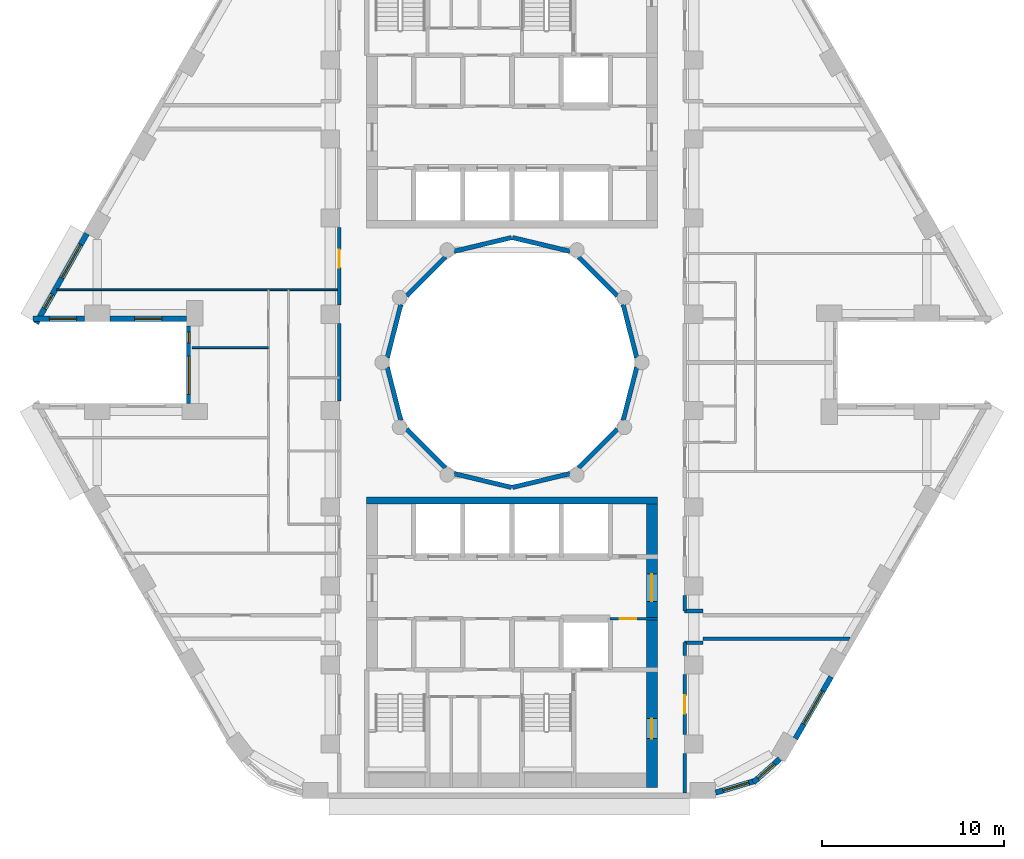
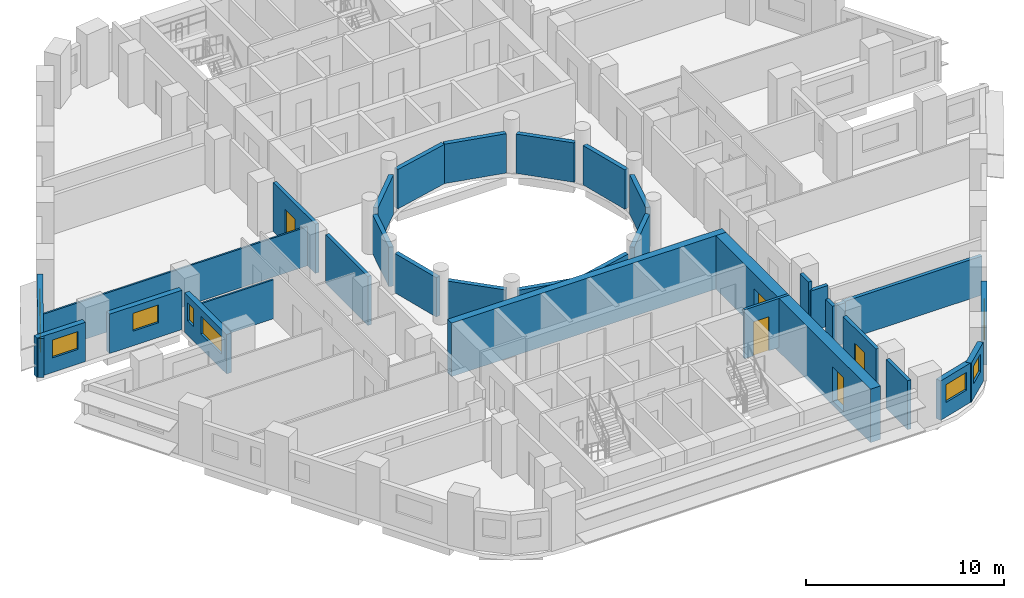
# One storey, part 5 of 12: 33 walls, 9 windows, 5 doors, 14 openings.
"""IFC4 building model written with IfcOpenShell, lengths in metres."""

import ifcopenshell
import ifcopenshell.guid

model = None  # the IFC model being written
_history = None  # IfcOwnerHistory: only IFC2X3 demands one
_inside = {}  # id of a spatial element -> (the spatial element, [elements in it])
_under = {}  # id of a project, library or spatial element -> (it, [spatial elements below it])
_declared = {}  # id of a project -> (the project, [libraries it declares])
_typed = {}  # id of a type object -> (the type object, [elements of that type])
_made_of = {}  # id of a material, layer set ... -> (it, [elements and type objects made of it])


def new_model(schema):
    """Start an empty IFC model of exactly this schema.

    Asked for "IFC4X3", IfcOpenShell would pick the latest addendum, in which some entities
    have other attributes; the version numbers below select the first issue.
    IFC2X3 requires an IfcOwnerHistory on every rooted entity: one is made here for all.
    """
    global model, _history
    if schema == "IFC4X3":
        model = ifcopenshell.file(schema_version=(4, 3, 0, 0))
    else:
        model = ifcopenshell.file(schema=schema)
    _inside.clear()
    _under.clear()
    _declared.clear()
    _typed.clear()
    _made_of.clear()
    _history = None
    if model.schema == "IFC2X3":
        org = make("IfcOrganization", Name="unknown")
        user = make(
            "IfcPersonAndOrganization",
            ThePerson=make("IfcPerson", FamilyName="unknown"),
            TheOrganization=org,
        )
        app = make(
            "IfcApplication",
            ApplicationDeveloper=org,
            Version="unknown",
            ApplicationFullName="unknown",
            ApplicationIdentifier="unknown",
        )
        _history = make(
            "IfcOwnerHistory",
            OwningUser=user,
            OwningApplication=app,
            ChangeAction="ADDED",
            CreationDate=0,
        )
    return model


def make(cls, **values):
    """One entity of the class cls with the attributes given. An attribute that is None is left unset."""
    return model.create_entity(
        cls, **{name: value for name, value in values.items() if value is not None}
    )


def rooted(cls, **values):
    """An entity with a GlobalId (a new one), such as an element, a storey or a relation."""
    return make(cls, GlobalId=ifcopenshell.guid.new(), OwnerHistory=_history, **values)


def si_unit(unit_type, name, prefix=None):
    """IfcSIUnit, for example si_unit("LENGTHUNIT", "METRE", prefix="MILLI")."""
    return make("IfcSIUnit", UnitType=unit_type, Prefix=prefix, Name=name)


def assignment(units):
    """IfcUnitAssignment: the units of a project."""
    return None if units is None else make("IfcUnitAssignment", Units=units)


def point(xyz):
    """IfcCartesianPoint."""
    return None if xyz is None else make("IfcCartesianPoint", Coordinates=xyz)


def direction(xyz):
    """IfcDirection."""
    return None if xyz is None else make("IfcDirection", DirectionRatios=xyz)


def frame(location, z_axis=None, x_axis=None):
    """IfcAxis2Placement3D, a coordinate frame: its origin and axes. An axis left out is left unset."""
    return make(
        "IfcAxis2Placement3D",
        Location=point(location),
        Axis=direction(z_axis),
        RefDirection=direction(x_axis),
    )


def frame_2d(location, x_axis=None):
    """IfcAxis2Placement2D, a coordinate frame in the plane: its origin and x axis."""
    return make(
        "IfcAxis2Placement2D", Location=point(location), RefDirection=direction(x_axis)
    )


def origin():
    """The frame at (0, 0, 0) with its axes left unset."""
    return frame((0.0, 0.0, 0.0))


def place(relative_to, where):
    """IfcLocalPlacement: puts the frame where relative to a parent placement (None: the world)."""
    return make(
        "IfcLocalPlacement", PlacementRelTo=relative_to, RelativePlacement=where
    )


def context(
    kind, dimensions, precision=None, world=None, true_north=None, identifier=None
):
    """IfcGeometricRepresentationContext, for example the 3D "Model" context."""
    return make(
        "IfcGeometricRepresentationContext",
        ContextIdentifier=identifier,
        ContextType=kind,
        CoordinateSpaceDimension=dimensions,
        Precision=precision,
        WorldCoordinateSystem=world,
        TrueNorth=true_north,
    )


def subcontext(parent, identifier, kind, view, scale=None):
    """IfcGeometricRepresentationSubContext, for example "Body" below "Model"."""
    return make(
        "IfcGeometricRepresentationSubContext",
        ContextIdentifier=identifier,
        ContextType=kind,
        ParentContext=parent,
        TargetScale=scale,
        TargetView=view,
    )


def project(units=None, contexts=None):
    """IfcProject with its units and contexts."""
    return rooted(
        "IfcProject",
        Name="project",
        RepresentationContexts=contexts,
        UnitsInContext=assignment(units),
    )


def spatial(cls, under=None, at=None, **own):
    """A site, building, storey or space (cls), placed at a placement, below another one or the project."""
    s = rooted(cls, ObjectPlacement=at, **own)
    if under is not None:
        _under.setdefault(under.id(), (under, []))[1].append(s)
    return s


def profile(cls, at=None, kind="AREA", **sizes):
    """A parametric profile (cls). Its sizes go by their IFC names, for example OverallWidth=200.0."""
    return make(cls, ProfileType=kind, Position=at, **sizes)


def rectangle(**sizes):
    """IfcRectangleProfileDef."""
    return profile("IfcRectangleProfileDef", **sizes)


def extrude(swept, where, along, depth):
    """IfcExtrudedAreaSolid: the profile swept, set in the frame where, extruded along a direction by depth."""
    return make(
        "IfcExtrudedAreaSolid",
        SweptArea=swept,
        Position=where,
        ExtrudedDirection=direction(along),
        Depth=depth,
    )


def shape(context_of_items, identifier, shape_type, items):
    """IfcShapeRepresentation: the items that make up one representation, for example the "Body"."""
    return make(
        "IfcShapeRepresentation",
        ContextOfItems=context_of_items,
        RepresentationIdentifier=identifier,
        RepresentationType=shape_type,
        Items=items,
    )


def material(Name=None, Category=None):
    """IfcMaterial."""
    return make("IfcMaterial", Name=Name, Category=Category)


def layer(
    of_material, thickness, ventilated=None, Name=None, Category=None, Priority=None
):
    """IfcMaterialLayer: one layer of a wall or slab, of a material (None: an air gap)."""
    return make(
        "IfcMaterialLayer",
        Material=of_material,
        LayerThickness=thickness,
        IsVentilated=ventilated,
        Name=Name,
        Category=Category,
        Priority=Priority,
    )


def layer_set(layers, Name=None):
    """IfcMaterialLayerSet."""
    return make("IfcMaterialLayerSet", MaterialLayers=layers, LayerSetName=Name)


def made_of(thing, what):
    """Note that an element or type object is made of a material, layer set ...; save() writes the relation."""
    if what is not None:
        _made_of.setdefault(what.id(), (what, []))[1].append(thing)
    return thing


def type_object(cls, material=None, **own):
    """A type object (cls), such as IfcWallType, which elements share."""
    return made_of(rooted(cls, **own), material)


def element(
    cls,
    number,
    at=None,
    inside=None,
    cuts=None,
    type_object=None,
    material=None,
    context=None,
    identifier="Body",
    shape_type=None,
    held_by="IfcProductDefinitionShape",
    body=None,
    shapes=None,
    **own,
):
    """One element of the class cls, such as IfcWall. Its Tag is "e" and its number.

    at: its placement. inside: the storey or other place that contains it. cuts: it is an
    opening in that element (IfcRelVoidsElement). A single representation is given by context,
    identifier, shape_type and body (its items); several are given by shapes. held_by: the class
    of the entity that holds the representations. save() writes the other relations.
    """
    e = rooted(cls, Tag="e%d" % number, ObjectPlacement=at, **own)
    if body is not None:
        shapes = [shape(context, identifier, shape_type, body)]
    if shapes is not None:
        e.Representation = make(held_by, Representations=shapes)
    if inside is not None:
        _inside.setdefault(inside.id(), (inside, []))[1].append(e)
    if cuts is not None:
        rooted(
            "IfcRelVoidsElement", RelatingBuildingElement=cuts, RelatedOpeningElement=e
        )
    if type_object is not None:
        _typed.setdefault(type_object.id(), (type_object, []))[1].append(e)
    return made_of(e, material)


def fill(opening, filler):
    """IfcRelFillsElement: the door or window that sits in an opening."""
    return rooted(
        "IfcRelFillsElement",
        RelatingOpeningElement=opening,
        RelatedBuildingElement=filler,
    )


def aggregate(whole, parts):
    """IfcRelAggregates: a whole, such as a stair, and the parts it consists of."""
    return rooted("IfcRelAggregates", RelatingObject=whole, RelatedObjects=parts)


def save(model, path):
    """Write the relations noted so far, then the file.

    IfcRelAggregates (storeys below a building ...), IfcRelContainedInSpatialStructure (elements
    in a storey), IfcRelDefinesByType, IfcRelAssociatesMaterial and IfcRelDeclares: one each for
    every whole, place, type object, material and project.
    """
    for whole, parts in _under.values():
        aggregate(whole, parts)
    for where, things in _inside.values():
        rooted(
            "IfcRelContainedInSpatialStructure",
            RelatedElements=things,
            RelatingStructure=where,
        )
    for kind, things in _typed.values():
        rooted("IfcRelDefinesByType", RelatedObjects=things, RelatingType=kind)
    for what, things in _made_of.values():
        rooted("IfcRelAssociatesMaterial", RelatedObjects=things, RelatingMaterial=what)
    for by, libraries in _declared.values():
        rooted("IfcRelDeclares", RelatingContext=by, RelatedDefinitions=libraries)
    model.write(path)


model = new_model("IFC4")

# Units and contexts
model_context = context("Model", 3, precision=1e-05, world=origin(), true_north=direction((0.0, 1.0)))
body_context = subcontext(model_context, "Body", "Model", "MODEL_VIEW")
ifc_project = project(units=[si_unit("LENGTHUNIT", "METRE"), si_unit("AREAUNIT", "SQUARE_METRE"), si_unit("VOLUMEUNIT", "CUBIC_METRE"), si_unit("PLANEANGLEUNIT", "RADIAN"), si_unit("MASSUNIT", "GRAM", prefix="KILO")], contexts=[model_context])

# Site, building, storey
site_placement = place(None, origin())
site = spatial("IfcSite", under=ifc_project, at=site_placement, CompositionType="ELEMENT")
building_placement = place(site_placement, origin())
building = spatial("IfcBuilding", under=site, at=building_placement, Name="Nakaniwa Court", CompositionType="ELEMENT")
storey_placement = place(building_placement, frame((0.0, 0.0, 94.199951171875)))
storey = spatial("IfcBuildingStorey", under=building, at=storey_placement, Name="L24", CompositionType="ELEMENT", Elevation=94.199951171875)

# Wall
ifc_material_1 = material(Name="Acoustic double stud partition")
ifc_layer_1 = layer(ifc_material_1, 0.199951171875)
ifc_layer_set_1 = layer_set([ifc_layer_1], Name="Acoustic double stud partition")
wall_type_1 = type_object("IfcWallType", Name="Acoustic double stud partition 200", PredefinedType="PARTITIONING", material=ifc_layer_set_1)
wall_1_placement = place(storey_placement, frame((89.5, 56.300048828125, 0.0), z_axis=(0.0, 0.0, 1.0), x_axis=(0.0, 1.0, 0.0)))
element("IfcWall", 1, at=wall_1_placement, inside=storey, type_object=wall_type_1, Name="Partition PW-069", PredefinedType="PARTITIONING", context=body_context, shape_type="SweptSolid", body=[
    extrude(rectangle(XDim=2.182861328125, YDim=0.199951171875, at=frame_2d((1.09130859375, 0.0))), origin(), (0.0, 0.0, 1.0), 3.025146484375),
])

# Wall, opening, door
wall_2_placement = place(storey_placement, frame((89.5, 62.8330078125, 0.0), z_axis=(0.0, 0.0, 1.0), x_axis=(0.0, -1.0, 0.0)))
wall_2 = element("IfcWall", 2, at=wall_2_placement, inside=storey, type_object=wall_type_1, Name="Partition PW-070", PredefinedType="PARTITIONING", context=body_context, shape_type="SweptSolid", body=[
    extrude(rectangle(XDim=3.31591796875, YDim=0.199951171875, at=frame_2d((1.657958984375, 0.0))), origin(), (0.0, 0.0, 1.0), 3.025146484375),
])
opening_1_placement = place(wall_2_placement, frame((1.157958984375, 0.0, 0.0)))
opening_1 = element("IfcOpeningElement", 3, at=opening_1_placement, cuts=wall_2, Name="Opening D-02-01", PredefinedType="OPENING", context=body_context, shape_type="SweptSolid", body=[
    extrude(rectangle(XDim=1.0, YDim=2.10009765625, at=frame_2d((0.5, 1.050048828125))), frame((0.0, 0.10986328125, 0.0), z_axis=(0.0, -1.0, 0.0), x_axis=(1.0, 0.0, 0.0)), (0.0, 0.0, 1.0), 0.219970703125),
])
ifc_material_2 = material(Name="Solid core timber door set, black veneer", Category="wood")
door_type_1 = type_object("IfcDoorType", Name="Internal door 1000", OperationType="NOTDEFINED", PredefinedType="DOOR", material=ifc_material_2)
door_1_placement = place(opening_1_placement, origin())
door_1 = element("IfcDoor", 4, at=door_1_placement, inside=storey, type_object=door_type_1, Name="Door D-02-01 L24-027", OperationType="SINGLE_SWING_RIGHT", OverallHeight=2.10009765625, OverallWidth=1.0, PredefinedType="DOOR", context=body_context, shape_type="SweptSolid", body=[
    extrude(rectangle(XDim=1.0, YDim=2.10009765625, at=frame_2d((0.5, 1.050048828125))), frame((0.0, 0.02490234375, 0.0), z_axis=(0.0, -1.0, 0.0), x_axis=(1.0, 0.0, 0.0)), (0.0, 0.0, 1.0), 0.050048828125),
])
fill(opening_1, door_1)

# Walls
wall_3_placement = place(storey_placement, frame((89.5, 63.866943359375, 0.0), z_axis=(0.0, 0.0, 1.0), x_axis=(0.0, 1.0, 0.0)))
element("IfcWall", 5, at=wall_3_placement, inside=storey, type_object=wall_type_1, Name="Partition PW-071", PredefinedType="PARTITIONING", context=body_context, shape_type="SweptSolid", body=[
    extrude(rectangle(XDim=0.7109375, YDim=0.199951171875, at=frame_2d((0.35546875, 0.0))), origin(), (0.0, 0.0, 1.0), 3.025146484375),
])
wall_4_placement = place(storey_placement, frame((89.5, 66.322021484375, 0.0), z_axis=(0.0, 0.0, 1.0), x_axis=(0.0, 1.0, 0.0)))
element("IfcWall", 6, at=wall_4_placement, inside=storey, type_object=wall_type_1, Name="Partition PW-072", PredefinedType="PARTITIONING", context=body_context, shape_type="SweptSolid", body=[
    extrude(rectangle(XDim=0.861083984375, YDim=0.199951171875, at=frame_2d((0.4306640625, 0.0))), origin(), (0.0, 0.0, 1.0), 3.025146484375),
])
wall_5_placement = place(storey_placement, frame((90.5, 64.800048828125, 0.0), z_axis=(0.0, 0.0, 1.0), x_axis=(1.0, 0.0, 0.0)))
element("IfcWall", 7, at=wall_5_placement, inside=storey, type_object=wall_type_1, Name="Partition PW-088", PredefinedType="PARTITIONING", context=body_context, shape_type="SweptSolid", body=[
    extrude(rectangle(XDim=8.0908203125, YDim=0.199951171875, at=frame_2d((4.04541015625, 0.0))), origin(), (0.0, 0.0, 1.0), 2.405029296875),
])
for number, where, z_axis, x_axis, name in (
    (8, (89.5, 64.574951171875, 0.0), (0.0, 0.0, 1.0), (1.0, 0.0, 0.0), "Partition PW-090"),
    (9, (89.5, 66.324951171875, 0.0), (0.0, 0.0, 1.0), (1.0, 0.0, 0.0), "Partition PW-092"),
):
    element("IfcWall", number, at=place(storey_placement, frame(where, z_axis=z_axis, x_axis=x_axis)), inside=storey, type_object=wall_type_1, Name=name, PredefinedType="PARTITIONING", context=body_context, shape_type="SweptSolid", body=[
        extrude(rectangle(XDim=1.0, YDim=0.199951171875, at=frame_2d((0.5, 0.0))), origin(), (0.0, 0.0, 1.0), 2.505126953125),
    ])
wall_6_placement = place(storey_placement, frame((70.5, 77.866943359375, 0.0), z_axis=(0.0, 0.0, 1.0), x_axis=(0.0, 1.0, 0.0)))
element("IfcWall", 10, at=wall_6_placement, inside=storey, type_object=wall_type_1, Name="Partition PW-101", PredefinedType="PARTITIONING", context=body_context, shape_type="SweptSolid", body=[
    extrude(rectangle(XDim=4.26611328125, YDim=0.199951171875, at=frame_2d((2.133056640625, 0.0))), origin(), (0.0, 0.0, 1.0), 3.025146484375),
])

# Wall, opening, door
wall_7_placement = place(storey_placement, frame((70.5, 83.1669921875, 0.0), z_axis=(0.0, 0.0, 1.0), x_axis=(0.0, 1.0, 0.0)))
wall_7 = element("IfcWall", 11, at=wall_7_placement, inside=storey, type_object=wall_type_1, Name="Partition PW-102", PredefinedType="PARTITIONING", context=body_context, shape_type="SweptSolid", body=[
    extrude(rectangle(XDim=4.26611328125, YDim=0.199951171875, at=frame_2d((2.133056640625, 0.0))), origin(), (0.0, 0.0, 1.0), 3.025146484375),
])
opening_2_placement = place(wall_7_placement, frame((2.048095703125, 0.0, 0.0)))
opening_2 = element("IfcOpeningElement", 12, at=opening_2_placement, cuts=wall_7, Name="Opening D-02-05", PredefinedType="OPENING", context=body_context, shape_type="SweptSolid", body=[
    extrude(rectangle(XDim=1.0, YDim=2.10009765625, at=frame_2d((0.5, 1.050048828125))), frame((0.0, 0.10986328125, 0.0), z_axis=(0.0, -1.0, 0.0), x_axis=(1.0, 0.0, 0.0)), (0.0, 0.0, 1.0), 0.219970703125),
])
door_2_placement = place(opening_2_placement, origin())
door_2 = element("IfcDoor", 13, at=door_2_placement, inside=storey, type_object=door_type_1, Name="Door D-02-05 L24-047", OperationType="SINGLE_SWING_RIGHT", OverallHeight=2.10009765625, OverallWidth=1.0, PredefinedType="DOOR", context=body_context, shape_type="SweptSolid", body=[
    extrude(rectangle(XDim=1.0, YDim=2.10009765625, at=frame_2d((0.5, 1.050048828125))), frame((0.0, 0.02490234375, 0.0), z_axis=(0.0, -1.0, 0.0), x_axis=(1.0, 0.0, 0.0)), (0.0, 0.0, 1.0), 0.050048828125),
])
fill(opening_2, door_2)

# Wall, openings, windows
ifc_material_3 = material(Name="Charcoal ceramic cladding")
ifc_layer_2 = layer(ifc_material_3, 0.02, Name="Ceramic cladding")
ifc_material_4 = material(Name="Ventilated air cavity")
ifc_layer_3 = layer(ifc_material_4, 0.04, ventilated=True, Name="Ventilated cavity")
ifc_material_5 = material(Name="Mineral wool insulation")
ifc_layer_4 = layer(ifc_material_5, 0.1, Name="Insulation")
ifc_material_6 = material(Name="Cement bonded sheathing board")
ifc_layer_5 = layer(ifc_material_6, 0.012, Name="Sheathing")
ifc_material_7 = material(Name="Cold-formed galvanised stud frame with mineral wool infill")
ifc_layer_6 = layer(ifc_material_7, 0.1, Name="Stud frame")
ifc_material_8 = material(Name="Fire-rated gypsum plasterboard lining")
ifc_layer_7 = layer(ifc_material_8, 0.028, Name="Lining")
ifc_layer_set_2 = layer_set([ifc_layer_2, ifc_layer_3, ifc_layer_4, ifc_layer_5, ifc_layer_6, ifc_layer_7], Name="Charcoal ceramic faced external wall system")
wall_type_2 = type_object("IfcWallType", Name="Black ceramic faced external wall 300", PredefinedType="SOLIDWALL", material=ifc_layer_set_2)
wall_8_placement = place(storey_placement, frame((56.609375, 87.09375, 0.0), z_axis=(0.0, 0.0, 1.0), x_axis=(-0.492456858874, -0.870336855561, 0.0)))
wall_8 = element("IfcWall", 14, at=wall_8_placement, inside=storey, type_object=wall_type_2, Name="L24 external wall 14", PredefinedType="SOLIDWALL", context=body_context, shape_type="SweptSolid", body=[
    extrude(rectangle(XDim=5.676513671875, YDim=0.300048828125, at=frame_2d((2.83837890625, 0.0))), origin(), (0.0, 0.0, 1.0), 2.425048828125),
])
opening_3_placement = place(wall_8_placement, frame((0.69189453125, 0.0, 0.89990234375)))
opening_3 = element("IfcOpeningElement", 15, at=opening_3_placement, cuts=wall_8, Name="Opening W7.15", PredefinedType="OPENING", context=body_context, shape_type="SweptSolid", body=[
    extrude(rectangle(XDim=2.10009765625, YDim=1.10009765625, at=frame_2d((1.050048828125, 0.550048828125))), frame((0.0, 0.159912109375, 0.0), z_axis=(0.0, -1.0, 0.0), x_axis=(1.0, 0.0, 0.0)), (0.0, 0.0, 1.0), 0.320068359375),
])
opening_4_placement = place(wall_8_placement, frame((3.841552734375, 0.0, 0.89990234375)))
opening_4 = element("IfcOpeningElement", 16, at=opening_4_placement, cuts=wall_8, Name="Opening W9.16", PredefinedType="OPENING", context=body_context, shape_type="SweptSolid", body=[
    extrude(rectangle(XDim=0.89990234375, YDim=1.10009765625, at=frame_2d((0.449951171875, 0.550048828125))), frame((0.0, 0.159912109375, 0.0), z_axis=(0.0, -1.0, 0.0), x_axis=(1.0, 0.0, 0.0)), (0.0, 0.0, 1.0), 0.320068359375),
])
ifc_material_9 = material(Name="Black anodised aluminium frame with dark low-E laminated double glazing", Category="aluminium")
window_type_1 = type_object("IfcWindowType", Name="Dark glass window 2100x1100 sill 900", PartitioningType="SINGLE_PANEL", PredefinedType="WINDOW", material=ifc_material_9)
window_1_placement = place(opening_3_placement, origin())
window_1 = element("IfcWindow", 17, at=window_1_placement, inside=storey, type_object=window_type_1, Name="L24 habitable room window 14-0", OverallHeight=1.10009765625, OverallWidth=2.10009765625, PartitioningType="SINGLE_PANEL", PredefinedType="WINDOW", context=body_context, shape_type="SweptSolid", body=[
    extrude(rectangle(XDim=2.10009765625, YDim=1.10009765625, at=frame_2d((1.050048828125, 0.550048828125))), frame((0.0, 0.030029296875, 0.0), z_axis=(0.0, -1.0, 0.0), x_axis=(1.0, 0.0, 0.0)), (0.0, 0.0, 1.0), 0.06005859375),
])
fill(opening_3, window_1)
window_type_2 = type_object("IfcWindowType", Name="Dark glass window 900x1100 sill 900", PartitioningType="SINGLE_PANEL", PredefinedType="WINDOW", material=ifc_material_9)
window_2_placement = place(opening_4_placement, origin())
window_2 = element("IfcWindow", 18, at=window_2_placement, inside=storey, type_object=window_type_2, Name="L24 bedroom window 14-1", OverallHeight=1.10009765625, OverallWidth=0.89990234375, PartitioningType="SINGLE_PANEL", PredefinedType="WINDOW", context=body_context, shape_type="SweptSolid", body=[
    extrude(rectangle(XDim=0.89990234375, YDim=1.10009765625, at=frame_2d((0.449951171875, 0.550048828125))), frame((0.0, 0.030029296875, 0.0), z_axis=(0.0, -1.0, 0.0), x_axis=(1.0, 0.0, 0.0)), (0.0, 0.0, 1.0), 0.06005859375),
])
fill(opening_4, window_2)

# Wall, opening, window
wall_9_placement = place(storey_placement, frame((53.643310546875, 82.39990234375, 0.0), z_axis=(0.0, 0.0, 1.0), x_axis=(1.0, 0.0, 0.0)))
wall_9 = element("IfcWall", 19, at=wall_9_placement, inside=storey, type_object=wall_type_2, Name="L24 external wall 15", PredefinedType="SOLIDWALL", context=body_context, shape_type="SweptSolid", body=[
    extrude(rectangle(XDim=2.837890625, YDim=0.300048828125, at=frame_2d((1.4189453125, 0.0))), origin(), (0.0, 0.0, 1.0), 2.425048828125),
])
opening_5_placement = place(wall_9_placement, frame((0.893798828125, 0.0, 0.89990234375)))
opening_5 = element("IfcOpeningElement", 20, at=opening_5_placement, cuts=wall_9, Name="Opening W5.17", PredefinedType="OPENING", context=body_context, shape_type="SweptSolid", body=[
    extrude(rectangle(XDim=1.5, YDim=1.10009765625, at=frame_2d((0.75, 0.550048828125))), frame((0.0, 0.159912109375, 0.0), z_axis=(0.0, -1.0, 0.0), x_axis=(1.0, 0.0, 0.0)), (0.0, 0.0, 1.0), 0.320068359375),
])
window_type_3 = type_object("IfcWindowType", Name="Dark glass window 1500x1100 sill 900", PartitioningType="SINGLE_PANEL", PredefinedType="WINDOW", material=ifc_material_9)
window_3_placement = place(opening_5_placement, origin())
window_3 = element("IfcWindow", 21, at=window_3_placement, inside=storey, type_object=window_type_3, Name="L24 bedroom window 15-0", OverallHeight=1.10009765625, OverallWidth=1.5, PartitioningType="SINGLE_PANEL", PredefinedType="WINDOW", context=body_context, shape_type="SweptSolid", body=[
    extrude(rectangle(XDim=1.5, YDim=1.10009765625, at=frame_2d((0.75, 0.550048828125))), frame((0.0, 0.030029296875, 0.0), z_axis=(0.0, -1.0, 0.0), x_axis=(1.0, 0.0, 0.0)), (0.0, 0.0, 1.0), 0.06005859375),
])
fill(opening_5, window_3)

wall_10_placement = place(storey_placement, frame((57.873046875, 82.39990234375, 0.0), z_axis=(0.0, 0.0, 1.0), x_axis=(1.0, 0.0, 0.0)))
wall_10 = element("IfcWall", 22, at=wall_10_placement, inside=storey, type_object=wall_type_2, Name="L24 external wall 16", PredefinedType="SOLIDWALL", context=body_context, shape_type="SweptSolid", body=[
    extrude(rectangle(XDim=4.22265625, YDim=0.300048828125, at=frame_2d((2.111328125, 0.0))), origin(), (0.0, 0.0, 1.0), 2.425048828125),
])
opening_6_placement = place(wall_10_placement, frame((1.361328125, 0.0, 0.89990234375)))
opening_6 = element("IfcOpeningElement", 23, at=opening_6_placement, cuts=wall_10, Name="Opening W5.18", PredefinedType="OPENING", context=body_context, shape_type="SweptSolid", body=[
    extrude(rectangle(XDim=1.5, YDim=1.10009765625, at=frame_2d((0.75, 0.550048828125))), frame((0.0, 0.159912109375, 0.0), z_axis=(0.0, -1.0, 0.0), x_axis=(1.0, 0.0, 0.0)), (0.0, 0.0, 1.0), 0.320068359375),
])
window_4_placement = place(opening_6_placement, origin())
window_4 = element("IfcWindow", 24, at=window_4_placement, inside=storey, type_object=window_type_3, Name="L24 bedroom window 16-0", OverallHeight=1.10009765625, OverallWidth=1.5, PartitioningType="SINGLE_PANEL", PredefinedType="WINDOW", context=body_context, shape_type="SweptSolid", body=[
    extrude(rectangle(XDim=1.5, YDim=1.10009765625, at=frame_2d((0.75, 0.550048828125))), frame((0.0, 0.030029296875, 0.0), z_axis=(0.0, -1.0, 0.0), x_axis=(1.0, 0.0, 0.0)), (0.0, 0.0, 1.0), 0.06005859375),
])
fill(opening_6, window_4)

# Wall, openings, windows
wall_11_placement = place(storey_placement, frame((62.24169921875, 82.00390625, 0.0), z_axis=(0.0, 0.0, 1.0), x_axis=(0.0, -1.0, 0.0)))
wall_11 = element("IfcWall", 25, at=wall_11_placement, inside=storey, type_object=wall_type_2, Name="L24 external wall 17", PredefinedType="SOLIDWALL", context=body_context, shape_type="SweptSolid", body=[
    extrude(rectangle(XDim=4.2578125, YDim=0.300048828125, at=frame_2d((2.12890625, 0.0))), origin(), (0.0, 0.0, 1.0), 2.425048828125),
])
opening_7_placement = place(wall_11_placement, frame((0.318603515625, 0.0, 0.89990234375)))
opening_7 = element("IfcOpeningElement", 26, at=opening_7_placement, cuts=wall_11, Name="Opening W8.19", PredefinedType="OPENING", context=body_context, shape_type="SweptSolid", body=[
    extrude(rectangle(XDim=0.60009765625, YDim=1.10009765625, at=frame_2d((0.300048828125, 0.550048828125))), frame((0.0, 0.159912109375, 0.0), z_axis=(0.0, -1.0, 0.0), x_axis=(1.0, 0.0, 0.0)), (0.0, 0.0, 1.0), 0.320068359375),
])
opening_8_placement = place(wall_11_placement, frame((1.660400390625, 0.0, 0.89990234375)))
opening_8 = element("IfcOpeningElement", 27, at=opening_8_placement, cuts=wall_11, Name="Opening W7.20", PredefinedType="OPENING", context=body_context, shape_type="SweptSolid", body=[
    extrude(rectangle(XDim=2.10009765625, YDim=1.10009765625, at=frame_2d((1.050048828125, 0.550048828125))), frame((0.0, 0.159912109375, 0.0), z_axis=(0.0, -1.0, 0.0), x_axis=(1.0, 0.0, 0.0)), (0.0, 0.0, 1.0), 0.320068359375),
])
window_5_placement = place(opening_8_placement, origin())
window_5 = element("IfcWindow", 28, at=window_5_placement, inside=storey, type_object=window_type_1, Name="L24 living window 17-1", OverallHeight=1.10009765625, OverallWidth=2.10009765625, PartitioningType="SINGLE_PANEL", PredefinedType="WINDOW", context=body_context, shape_type="SweptSolid", body=[
    extrude(rectangle(XDim=2.10009765625, YDim=1.10009765625, at=frame_2d((1.050048828125, 0.550048828125))), frame((0.0, 0.030029296875, 0.0), z_axis=(0.0, -1.0, 0.0), x_axis=(1.0, 0.0, 0.0)), (0.0, 0.0, 1.0), 0.06005859375),
])
fill(opening_8, window_5)
window_type_4 = type_object("IfcWindowType", Name="Dark glass window 600x1100 sill 900", PartitioningType="SINGLE_PANEL", PredefinedType="WINDOW", material=ifc_material_9)
window_6_placement = place(opening_7_placement, origin())
window_6 = element("IfcWindow", 29, at=window_6_placement, inside=storey, type_object=window_type_4, Name="L24 bedroom window 17-0", OverallHeight=1.10009765625, OverallWidth=0.60009765625, PartitioningType="SINGLE_PANEL", PredefinedType="WINDOW", context=body_context, shape_type="SweptSolid", body=[
    extrude(rectangle(XDim=0.60009765625, YDim=1.10009765625, at=frame_2d((0.300048828125, 0.550048828125))), frame((0.0, 0.030029296875, 0.0), z_axis=(0.0, -1.0, 0.0), x_axis=(1.0, 0.0, 0.0)), (0.0, 0.0, 1.0), 0.06005859375),
])
fill(opening_7, window_6)

# Wall, opening, window
wall_12_placement = place(storey_placement, frame((91.203369140625, 56.329833984375, 0.0), z_axis=(0.0, 0.0, 1.0), x_axis=(0.95847736903, 0.285168604614, 0.0)))
wall_12 = element("IfcWall", 30, at=wall_12_placement, inside=storey, type_object=wall_type_2, Name="L24 external wall 27", PredefinedType="SOLIDWALL", context=body_context, shape_type="SweptSolid", body=[
    extrude(rectangle(XDim=2.261962890625, YDim=0.300048828125, at=frame_2d((1.130859375, 0.0))), origin(), (0.0, 0.0, 1.0), 2.425048828125),
])
opening_9_placement = place(wall_12_placement, frame((0.418701171875, 0.0, 0.89990234375)))
opening_9 = element("IfcOpeningElement", 31, at=opening_9_placement, cuts=wall_12, Name="Opening W5.31", PredefinedType="OPENING", context=body_context, shape_type="SweptSolid", body=[
    extrude(rectangle(XDim=1.5, YDim=1.10009765625, at=frame_2d((0.75, 0.550048828125))), frame((0.0, 0.159912109375, 0.0), z_axis=(0.0, -1.0, 0.0), x_axis=(1.0, 0.0, 0.0)), (0.0, 0.0, 1.0), 0.320068359375),
])
window_7_placement = place(opening_9_placement, origin())
window_7 = element("IfcWindow", 32, at=window_7_placement, inside=storey, type_object=window_type_3, Name="L24 habitable room window 27-0", OverallHeight=1.10009765625, OverallWidth=1.5, PartitioningType="SINGLE_PANEL", PredefinedType="WINDOW", context=body_context, shape_type="SweptSolid", body=[
    extrude(rectangle(XDim=1.5, YDim=1.10009765625, at=frame_2d((0.75, 0.550048828125))), frame((0.0, 0.030029296875, 0.0), z_axis=(0.0, -1.0, 0.0), x_axis=(1.0, 0.0, 0.0)), (0.0, 0.0, 1.0), 0.06005859375),
])
fill(opening_9, window_7)

wall_13_placement = place(storey_placement, frame((93.283447265625, 56.88671875, 0.0), z_axis=(0.0, 0.0, 1.0), x_axis=(0.743785734967, 0.668418117992, 0.0)))
wall_13 = element("IfcWall", 33, at=wall_13_placement, inside=storey, type_object=wall_type_2, Name="L24 external wall 28", PredefinedType="SOLIDWALL", context=body_context, shape_type="SweptSolid", body=[
    extrude(rectangle(XDim=1.9501953125, YDim=0.300048828125, at=frame_2d((0.97509765625, 0.0))), origin(), (0.0, 0.0, 1.0), 2.425048828125),
])
opening_10_placement = place(wall_13_placement, frame((0.334716796875, 0.0, 0.89990234375)))
opening_10 = element("IfcOpeningElement", 34, at=opening_10_placement, cuts=wall_13, Name="Opening W6.32", PredefinedType="OPENING", context=body_context, shape_type="SweptSolid", body=[
    extrude(rectangle(XDim=1.199951171875, YDim=1.10009765625, at=frame_2d((0.60009765625, 0.550048828125))), frame((0.0, 0.159912109375, 0.0), z_axis=(0.0, -1.0, 0.0), x_axis=(1.0, 0.0, 0.0)), (0.0, 0.0, 1.0), 0.320068359375),
])
window_type_5 = type_object("IfcWindowType", Name="Dark glass window 1200x1100 sill 900", PartitioningType="SINGLE_PANEL", PredefinedType="WINDOW", material=ifc_material_9)
window_8_placement = place(opening_10_placement, origin())
window_8 = element("IfcWindow", 35, at=window_8_placement, inside=storey, type_object=window_type_5, Name="L24 habitable room window 28-0", OverallHeight=1.10009765625, OverallWidth=1.199951171875, PartitioningType="SINGLE_PANEL", PredefinedType="WINDOW", context=body_context, shape_type="SweptSolid", body=[
    extrude(rectangle(XDim=1.199951171875, YDim=1.10009765625, at=frame_2d((0.60009765625, 0.550048828125))), frame((0.0, 0.030029296875, 0.0), z_axis=(0.0, -1.0, 0.0), x_axis=(1.0, 0.0, 0.0)), (0.0, 0.0, 1.0), 0.06005859375),
])
fill(opening_10, window_8)

wall_14_placement = place(storey_placement, frame((95.59033203125, 59.30322265625, 0.0), z_axis=(0.0, 0.0, 1.0), x_axis=(0.500003583557, 0.866023334807, 0.0)))
wall_14 = element("IfcWall", 36, at=wall_14_placement, inside=storey, type_object=wall_type_2, Name="L24 external wall 29", PredefinedType="SOLIDWALL", context=body_context, shape_type="SweptSolid", body=[
    extrude(rectangle(XDim=3.93408203125, YDim=0.300048828125, at=frame_2d((1.967041015625, 0.0))), origin(), (0.0, 0.0, 1.0), 2.425048828125),
])
opening_11_placement = place(wall_14_placement, frame((0.9169921875, 0.0, 0.89990234375)))
opening_11 = element("IfcOpeningElement", 37, at=opening_11_placement, cuts=wall_14, Name="Opening W7.33", PredefinedType="OPENING", context=body_context, shape_type="SweptSolid", body=[
    extrude(rectangle(XDim=2.10009765625, YDim=1.10009765625, at=frame_2d((1.050048828125, 0.550048828125))), frame((0.0, 0.159912109375, 0.0), z_axis=(0.0, -1.0, 0.0), x_axis=(1.0, 0.0, 0.0)), (0.0, 0.0, 1.0), 0.320068359375),
])
window_9_placement = place(opening_11_placement, origin())
window_9 = element("IfcWindow", 38, at=window_9_placement, inside=storey, type_object=window_type_1, Name="L24 habitable room window 29-0", OverallHeight=1.10009765625, OverallWidth=2.10009765625, PartitioningType="SINGLE_PANEL", PredefinedType="WINDOW", context=body_context, shape_type="SweptSolid", body=[
    extrude(rectangle(XDim=2.10009765625, YDim=1.10009765625, at=frame_2d((1.050048828125, 0.550048828125))), frame((0.0, 0.030029296875, 0.0), z_axis=(0.0, -1.0, 0.0), x_axis=(1.0, 0.0, 0.0)), (0.0, 0.0, 1.0), 0.06005859375),
])
fill(opening_11, window_9)

# Wall, opening, door
ifc_material_10 = material(Name="Blockwork partition", Category="masonry")
ifc_layer_8 = layer(ifc_material_10, 0.14990234375)
ifc_layer_set_3 = layer_set([ifc_layer_8], Name="Blockwork partition")
wall_type_3 = type_object("IfcWallType", Name="Blockwork partition 150", PredefinedType="PARTITIONING", material=ifc_layer_set_3)
wall_15_placement = place(storey_placement, frame((88.0, 65.89990234375, 0.0), z_axis=(0.0, 0.0, 1.0), x_axis=(-1.0, 0.0, 0.0)))
wall_15 = element("IfcWall", 39, at=wall_15_placement, inside=storey, type_object=wall_type_3, Name="Partition PW-052", PredefinedType="PARTITIONING", context=body_context, shape_type="SweptSolid", body=[
    extrude(rectangle(XDim=2.60302734375, YDim=0.14990234375, at=frame_2d((1.301513671875, 0.0))), origin(), (0.0, 0.0, 1.0), 3.025146484375),
])
opening_12_placement = place(wall_15_placement, frame((1.175048828125, 0.0, 0.0)))
opening_12 = element("IfcOpeningElement", 40, at=opening_12_placement, cuts=wall_15, Name="Opening D-05-13", PredefinedType="OPENING", context=body_context, shape_type="SweptSolid", body=[
    extrude(rectangle(XDim=0.89990234375, YDim=2.10009765625, at=frame_2d((0.449951171875, 1.050048828125))), frame((0.0, 0.0849609375, 0.0), z_axis=(0.0, -1.0, 0.0), x_axis=(1.0, 0.0, 0.0)), (0.0, 0.0, 1.0), 0.169921875),
])
ifc_material_11 = material(Name="Fire rated steel door set", Category="steel")
door_type_2 = type_object("IfcDoorType", Name="Service room door 900", OperationType="NOTDEFINED", PredefinedType="DOOR", material=ifc_material_11)
door_3_placement = place(opening_12_placement, origin())
door_3 = element("IfcDoor", 41, at=door_3_placement, inside=storey, type_object=door_type_2, Name="Door D-05-13 L24-020", OperationType="SINGLE_SWING_LEFT", OverallHeight=2.10009765625, OverallWidth=0.89990234375, PredefinedType="DOOR", context=body_context, shape_type="SweptSolid", body=[
    extrude(rectangle(XDim=0.89990234375, YDim=2.10009765625, at=frame_2d((0.449951171875, 1.050048828125))), frame((0.0, 0.02490234375, 0.0), z_axis=(0.0, -1.0, 0.0), x_axis=(1.0, 0.0, 0.0)), (0.0, 0.0, 1.0), 0.050048828125),
])
fill(opening_12, door_3)

# Walls
ifc_layer_9 = layer(ifc_material_3, 0.02, Name="Ceramic cladding")
ifc_layer_10 = layer(ifc_material_4, 0.04, ventilated=True, Name="Ventilated cavity")
ifc_layer_11 = layer(ifc_material_5, 0.075, Name="Insulation")
ifc_layer_12 = layer(ifc_material_6, 0.012, Name="Sheathing")
ifc_layer_13 = layer(ifc_material_7, 0.075, Name="Stud frame")
ifc_layer_14 = layer(ifc_material_8, 0.028, Name="Lining")
ifc_layer_set_4 = layer_set([ifc_layer_9, ifc_layer_10, ifc_layer_11, ifc_layer_12, ifc_layer_13, ifc_layer_14], Name="Charcoal ceramic faced external wall system")
wall_type_4 = type_object("IfcWallType", Name="Charcoal ceramic faced well wall 250", PredefinedType="SOLIDWALL", material=ifc_layer_set_4)
wall_16_placement = place(storey_placement, frame((86.8603515625, 79.72998046875, 0.0), z_axis=(0.0, 0.0, 1.0), x_axis=(-0.247055971283, -0.969001211069, 0.0)))
element("IfcWall", 42, at=wall_16_placement, inside=storey, type_object=wall_type_4, Name="L24 external wall 36", PredefinedType="SOLIDWALL", context=body_context, shape_type="SweptSolid", body=[
    extrude(rectangle(XDim=3.010009765625, YDim=0.25, at=frame_2d((1.5048828125, 0.0))), origin(), (0.0, 0.0, 1.0), 2.425048828125),
])
wall_17_placement = place(storey_placement, frame((85.8056640625, 76.339111328125, 0.0), z_axis=(0.0, 0.0, 1.0), x_axis=(-0.707106781187, -0.707106781187, 0.0)))
element("IfcWall", 43, at=wall_17_placement, inside=storey, type_object=wall_type_4, Name="L24 external wall 37", PredefinedType="SOLIDWALL", context=body_context, shape_type="SweptSolid", body=[
    extrude(rectangle(XDim=3.033203125, YDim=0.25, at=frame_2d((1.5166015625, 0.0))), origin(), (0.0, 0.0, 1.0), 2.425048828125),
])
for number, where, z_axis, x_axis, name in (
    (44, (83.186279296875, 73.880615234375, 0.0), (0.0, 0.0, 1.0), (-0.972773113459, -0.231759508395, 0.0), "L24 external wall 38"),
    (45, (79.970947265625, 73.12841796875, 0.0), (0.0, 0.0, 1.0), (-0.972773113459, 0.231759508395, 0.0), "L24 external wall 39"),
):
    element("IfcWall", number, at=place(storey_placement, frame(where, z_axis=z_axis, x_axis=x_axis)), inside=storey, type_object=wall_type_4, Name=name, PredefinedType="SOLIDWALL", context=body_context, shape_type="SweptSolid", body=[
        extrude(rectangle(XDim=3.24560546875, YDim=0.25, at=frame_2d((1.622802734375, 0.0))), origin(), (0.0, 0.0, 1.0), 2.425048828125),
    ])
wall_18_placement = place(storey_placement, frame((76.339111328125, 74.1943359375, 0.0), z_axis=(0.0, 0.0, 1.0), x_axis=(-0.707106781187, 0.707106781187, 0.0)))
element("IfcWall", 46, at=wall_18_placement, inside=storey, type_object=wall_type_4, Name="L24 external wall 40", PredefinedType="SOLIDWALL", context=body_context, shape_type="SweptSolid", body=[
    extrude(rectangle(XDim=3.033203125, YDim=0.25, at=frame_2d((1.5166015625, 0.0))), origin(), (0.0, 0.0, 1.0), 2.425048828125),
])
for number, where, z_axis, x_axis, name in (
    (47, (73.88330078125, 76.813232421875, 0.0), (0.0, 0.0, 1.0), (-0.247055971283, 0.969001211069, 0.0), "L24 external wall 41"),
    (48, (73.1396484375, 80.27001953125, 0.0), (0.0, 0.0, 1.0), (0.247055971283, 0.969001211069, 0.0), "L24 external wall 42"),
):
    element("IfcWall", number, at=place(storey_placement, frame(where, z_axis=z_axis, x_axis=x_axis)), inside=storey, type_object=wall_type_4, Name=name, PredefinedType="SOLIDWALL", context=body_context, shape_type="SweptSolid", body=[
        extrude(rectangle(XDim=3.010009765625, YDim=0.25, at=frame_2d((1.5048828125, 0.0))), origin(), (0.0, 0.0, 1.0), 2.425048828125),
    ])
wall_19_placement = place(storey_placement, frame((74.1943359375, 83.660888671875, 0.0), z_axis=(0.0, 0.0, 1.0), x_axis=(0.707106781187, 0.707106781187, 0.0)))
element("IfcWall", 49, at=wall_19_placement, inside=storey, type_object=wall_type_4, Name="L24 external wall 43", PredefinedType="SOLIDWALL", context=body_context, shape_type="SweptSolid", body=[
    extrude(rectangle(XDim=3.033203125, YDim=0.25, at=frame_2d((1.5166015625, 0.0))), origin(), (0.0, 0.0, 1.0), 2.425048828125),
])
for number, where, z_axis, x_axis, name in (
    (50, (76.813720703125, 86.119384765625, 0.0), (0.0, 0.0, 1.0), (0.972773113459, 0.231759508395, 0.0), "L24 external wall 44"),
    (51, (80.029052734375, 86.87158203125, 0.0), (0.0, 0.0, 1.0), (0.972773113459, -0.231759508395, 0.0), "L24 external wall 45"),
):
    element("IfcWall", number, at=place(storey_placement, frame(where, z_axis=z_axis, x_axis=x_axis)), inside=storey, type_object=wall_type_4, Name=name, PredefinedType="SOLIDWALL", context=body_context, shape_type="SweptSolid", body=[
        extrude(rectangle(XDim=3.24560546875, YDim=0.25, at=frame_2d((1.622802734375, 0.0))), origin(), (0.0, 0.0, 1.0), 2.425048828125),
    ])
wall_20_placement = place(storey_placement, frame((83.660888671875, 85.8056640625, 0.0), z_axis=(0.0, 0.0, 1.0), x_axis=(0.707106781187, -0.707106781187, 0.0)))
element("IfcWall", 52, at=wall_20_placement, inside=storey, type_object=wall_type_4, Name="L24 external wall 46", PredefinedType="SOLIDWALL", context=body_context, shape_type="SweptSolid", body=[
    extrude(rectangle(XDim=3.033203125, YDim=0.25, at=frame_2d((1.5166015625, 0.0))), origin(), (0.0, 0.0, 1.0), 2.425048828125),
])
wall_21_placement = place(storey_placement, frame((86.11669921875, 83.186767578125, 0.0), z_axis=(0.0, 0.0, 1.0), x_axis=(0.247055971283, -0.969001211069, 0.0)))
element("IfcWall", 53, at=wall_21_placement, inside=storey, type_object=wall_type_4, Name="L24 external wall 47", PredefinedType="SOLIDWALL", context=body_context, shape_type="SweptSolid", body=[
    extrude(rectangle(XDim=3.010009765625, YDim=0.25, at=frame_2d((1.5048828125, 0.0))), origin(), (0.0, 0.0, 1.0), 2.425048828125),
])

# Wall, openings, doors
ifc_material_12 = material(Name="Concrete C80/100", Category="concrete")
ifc_layer_15 = layer(ifc_material_12, 0.60009765625)
ifc_layer_set_5 = layer_set([ifc_layer_15], Name="Concrete C80/100")
wall_type_5 = type_object("IfcWallType", Name="Concrete core side wall 600 C80", PredefinedType="SHEAR", material=ifc_layer_set_5)
wall_22_placement = place(storey_placement, frame((87.699951171875, 72.199951171875, -0.27490234375), z_axis=(0.0, 0.0, 1.0), x_axis=(0.0, -1.0, 0.0)))
wall_22 = element("IfcWall", 54, at=wall_22_placement, inside=storey, type_object=wall_type_5, Name="Core wall SW-49", PredefinedType="SHEAR", context=body_context, shape_type="SweptSolid", body=[
    extrude(rectangle(XDim=15.599853515625, YDim=0.60009765625, at=frame_2d((7.7998046875, 0.0))), origin(), (0.0, 0.0, 1.0), 3.300048828125),
])
opening_13_placement = place(wall_22_placement, frame((3.85009765625, 0.0, 0.27490234375)))
opening_13 = element("IfcOpeningElement", 55, at=opening_13_placement, cuts=wall_22, Name="Opening D-07-03", PredefinedType="OPENING", context=body_context, shape_type="SweptSolid", body=[
    extrude(rectangle(XDim=1.5, YDim=2.10009765625, at=frame_2d((0.75, 1.050048828125))), frame((0.0, 0.31005859375, 0.0), z_axis=(0.0, -1.0, 0.0), x_axis=(1.0, 0.0, 0.0)), (0.0, 0.0, 1.0), 0.6201171875),
])
opening_14_placement = place(wall_22_placement, frame((11.800048828125, 0.0, 0.27490234375)))
opening_14 = element("IfcOpeningElement", 56, at=opening_14_placement, cuts=wall_22, Name="Opening D-10-02", PredefinedType="OPENING", context=body_context, shape_type="SweptSolid", body=[
    extrude(rectangle(XDim=1.10009765625, YDim=2.10009765625, at=frame_2d((0.550048828125, 1.050048828125))), frame((0.0, 0.31005859375, 0.0), z_axis=(0.0, -1.0, 0.0), x_axis=(1.0, 0.0, 0.0)), (0.0, 0.0, 1.0), 0.6201171875),
])
door_type_3 = type_object("IfcDoorType", Name="Firefighting lobby door 1100", OperationType="NOTDEFINED", PredefinedType="DOOR", material=ifc_material_11)
door_4_placement = place(opening_14_placement, origin())
door_4 = element("IfcDoor", 57, at=door_4_placement, inside=storey, type_object=door_type_3, Name="Door D-10-02 L24-056", OperationType="SINGLE_SWING_LEFT", OverallHeight=2.10009765625, OverallWidth=1.10009765625, PredefinedType="DOOR", context=body_context, shape_type="SweptSolid", body=[
    extrude(rectangle(XDim=1.10009765625, YDim=2.10009765625, at=frame_2d((0.550048828125, 1.050048828125))), frame((0.0, 0.02490234375, 0.0), z_axis=(0.0, -1.0, 0.0), x_axis=(1.0, 0.0, 0.0)), (0.0, 0.0, 1.0), 0.050048828125),
])
fill(opening_14, door_4)
ifc_material_13 = material(Name="Glazed fire rated steel double door set", Category="steel")
door_type_4 = type_object("IfcDoorType", Name="Lobby double door 1500", OperationType="NOTDEFINED", PredefinedType="DOOR", material=ifc_material_13)
door_5_placement = place(opening_13_placement, origin())
door_5 = element("IfcDoor", 58, at=door_5_placement, inside=storey, type_object=door_type_4, Name="Door D-07-03 L24-054", OperationType="DOUBLE_DOOR_SINGLE_SWING", OverallHeight=2.10009765625, OverallWidth=1.5, PredefinedType="DOOR", context=body_context, shape_type="SweptSolid", body=[
    extrude(rectangle(XDim=1.5, YDim=2.10009765625, at=frame_2d((0.75, 1.050048828125))), frame((0.0, 0.02490234375, 0.0), z_axis=(0.0, -1.0, 0.0), x_axis=(1.0, 0.0, 0.0)), (0.0, 0.0, 1.0), 0.050048828125),
])
fill(opening_13, door_5)

# Walls
ifc_layer_16 = layer(ifc_material_12, 0.39990234375)
ifc_layer_set_6 = layer_set([ifc_layer_16], Name="Concrete C80/100")
wall_type_6 = type_object("IfcWallType", Name="Concrete core well wall 400 C80", PredefinedType="SHEAR", material=ifc_layer_set_6)
wall_23_placement = place(storey_placement, frame((72.00390625, 72.39990234375, -0.27490234375), z_axis=(0.0, 0.0, 1.0), x_axis=(1.0, 0.0, 0.0)))
element("IfcWall", 59, at=wall_23_placement, inside=storey, type_object=wall_type_6, Name="Core wall SW-128", PredefinedType="SHEAR", context=body_context, shape_type="SweptSolid", body=[
    extrude(rectangle(XDim=15.9921875, YDim=0.39990234375, at=frame_2d((7.99609375, 0.0))), origin(), (0.0, 0.0, 1.0), 3.300048828125),
])
ifc_material_14 = material(Name="Single stud plasterboard partition")
ifc_layer_17 = layer(ifc_material_14, 0.10009765625)
ifc_layer_set_7 = layer_set([ifc_layer_17], Name="Single stud plasterboard partition")
wall_type_7 = type_object("IfcWallType", Name="Single stud plasterboard partition 100", PredefinedType="PARTITIONING", material=ifc_layer_set_7)
wall_24_placement = place(storey_placement, frame((54.943115234375, 84.0, 0.0), z_axis=(0.0, 0.0, 1.0), x_axis=(1.0, 0.0, 0.0)))
element("IfcWall", 60, at=wall_24_placement, inside=storey, type_object=wall_type_7, Name="Partition PW-120", PredefinedType="PARTITIONING", context=body_context, shape_type="SweptSolid", body=[
    extrude(rectangle(XDim=15.556884765625, YDim=0.10009765625, at=frame_2d((7.7783203125, 0.0))), origin(), (0.0, 0.0, 1.0), 2.405029296875),
])
wall_25_placement = place(storey_placement, frame((62.3916015625, 80.81689453125, 0.0), z_axis=(0.0, 0.0, 1.0), x_axis=(1.0, 0.0, 0.0)))
element("IfcWall", 61, at=wall_25_placement, inside=storey, type_object=wall_type_7, Name="Partition PW-125", PredefinedType="PARTITIONING", context=body_context, shape_type="SweptSolid", body=[
    extrude(rectangle(XDim=4.20849609375, YDim=0.10009765625, at=frame_2d((2.104248046875, 0.0))), origin(), (0.0, 0.0, 1.0), 2.405029296875),
])

save(model, "model.ifc")
